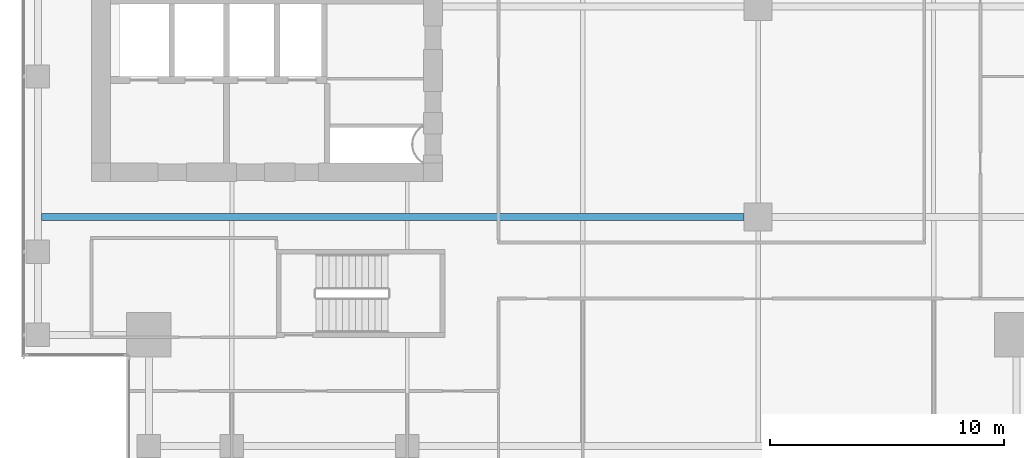
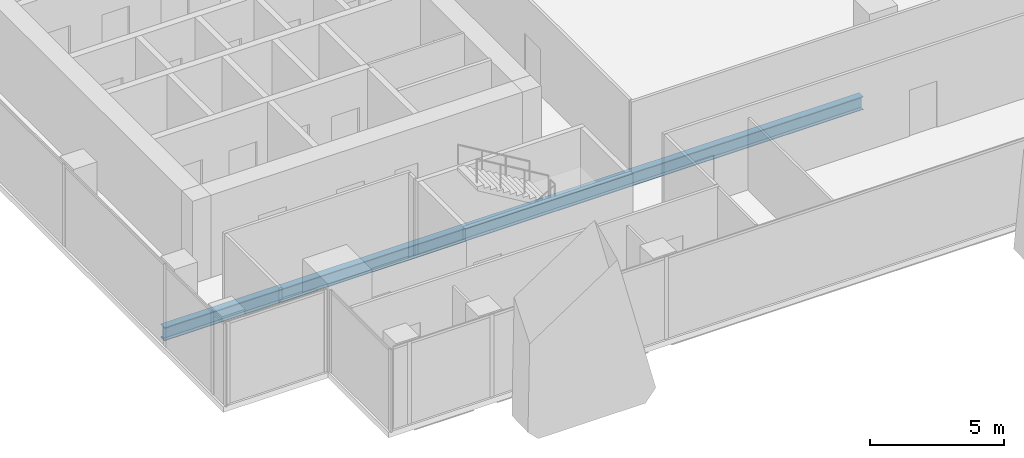
# One storey, part 5 of 38: 1 beam.
"""IFC4 building model written with IfcOpenShell, lengths in metres."""

from ifc_helpers import new_model, si_unit, direction, frame, origin, origin_2d, place, context, subcontext, project, spatial, i_section, extrude, source, transform, mapped, material, material_profile, profile_set, type_object, element, save


model = new_model("IFC4")

# Units and contexts
model_context = context("Model", 3, precision=1e-05, world=origin(), true_north=direction((0.0, 1.0)))
body_context = subcontext(model_context, "Body", "Model", "MODEL_VIEW")
ifc_project = project(units=[si_unit("LENGTHUNIT", "METRE"), si_unit("AREAUNIT", "SQUARE_METRE"), si_unit("VOLUMEUNIT", "CUBIC_METRE"), si_unit("PLANEANGLEUNIT", "RADIAN"), si_unit("MASSUNIT", "GRAM", prefix="KILO")], contexts=[model_context])

# Site, building, storey
site_placement = place(None, origin())
site = spatial("IfcSite", under=ifc_project, at=site_placement, CompositionType="ELEMENT")
building_placement = place(site_placement, origin())
building = spatial("IfcBuilding", under=site, at=building_placement, Name="Khomas Fold Tower", CompositionType="ELEMENT")
storey_placement = place(building_placement, frame((0.0, 0.0, 196.699951171875)))
storey = spatial("IfcBuildingStorey", under=building, at=storey_placement, Name="L43", CompositionType="ELEMENT", Elevation=196.699951171875)

# Beam
ifc_material = material(Name="Steel S355", Category="steel")
ifc_material_profile = material_profile(ifc_material, i_section(OverallWidth=0.300048828125, OverallDepth=0.60009765625, WebThickness=0.015380859375, FlangeThickness=0.030029296875, at=origin_2d()), Name="HE 600 B")
ifc_profile_set = profile_set([ifc_material_profile], Name="Steel S355")
beam_type = type_object("IfcBeamType", Name="HE 600 B beam GB5", PredefinedType="BEAM", material=ifc_profile_set)
shared_shape = source(origin(), body_context, "Body", "SweptSolid", [
    extrude(i_section(OverallWidth=0.300048828125, OverallDepth=0.60009765625, WebThickness=0.015380859375, FlangeThickness=0.030029296875, at=origin_2d()), origin(), (0.0, 0.0, 1.0), 30.0498046875),
])
beam_placement = place(storey_placement, frame((3.85009765625, 13.5, -0.550048828125), z_axis=(1.0, 0.0, 0.0), x_axis=(0.0, 1.0, 0.0)))
element("IfcBeam", 1, at=beam_placement, inside=storey, type_object=beam_type, Name="GB5", PredefinedType="BEAM", context=body_context, shape_type="MappedRepresentation", body=[
    mapped(shared_shape, transform((0.0, 0.0, 0.0))),
])

save(model, "model.ifc")
